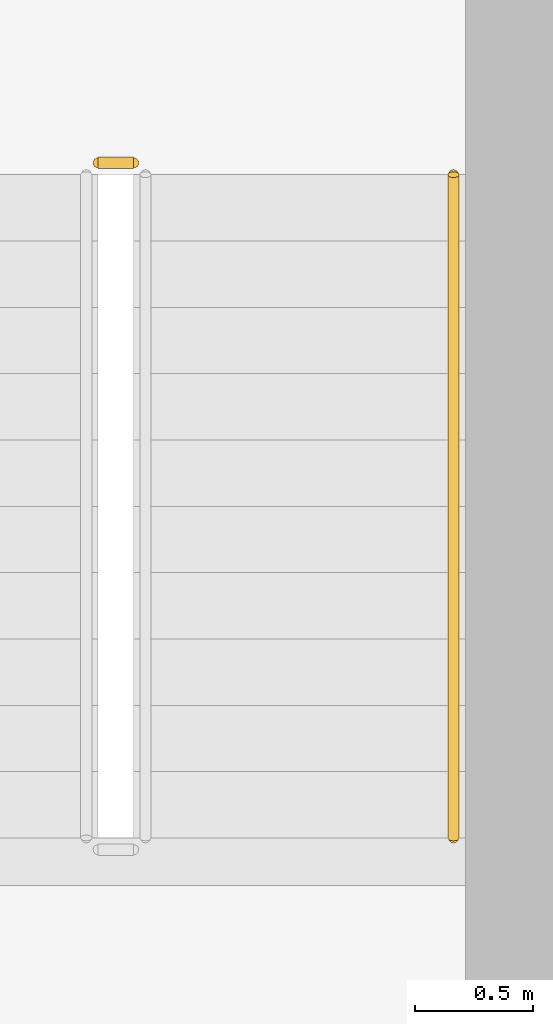
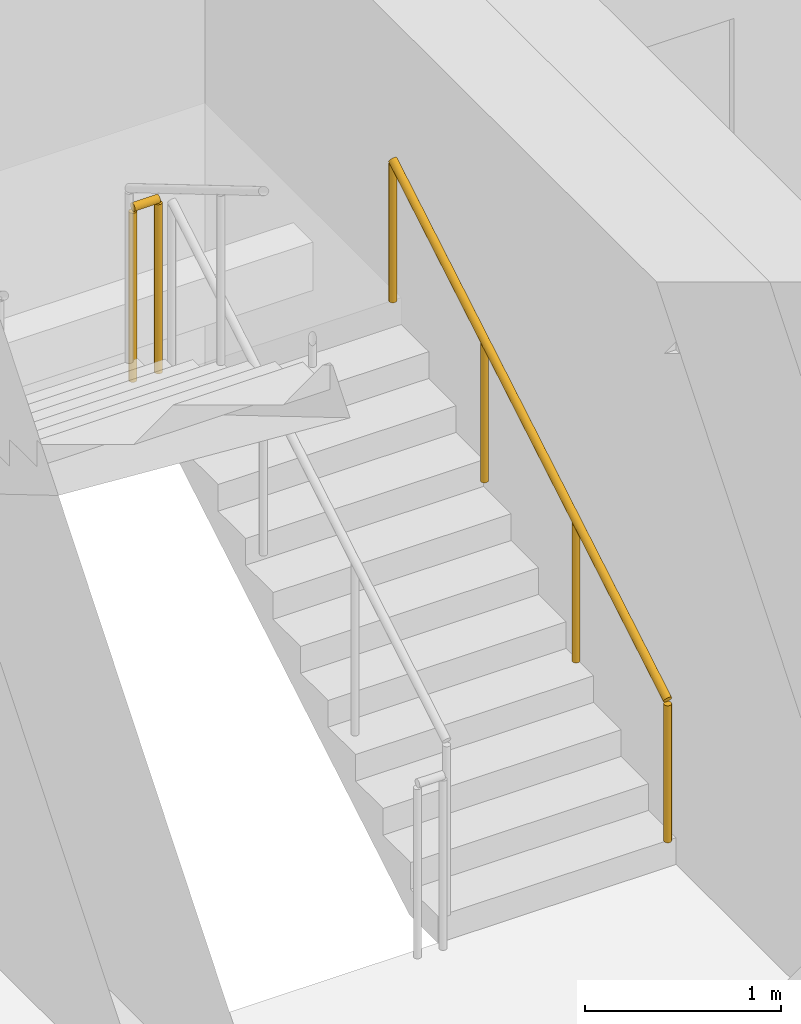
# One storey, part 13 of 15: 2 railings.
"""IFC4 building model written with IfcOpenShell, lengths in metres."""

from ifc_helpers import new_model, si_unit, direction, frame, origin, origin_2d, place, context, subcontext, project, spatial, circle, extrude, material, type_object, element, save


model = new_model("IFC4")

# Units and contexts
model_context = context("Model", 3, precision=1e-05, world=origin(), true_north=direction((0.0, 1.0)))
body_context = subcontext(model_context, "Body", "Model", "MODEL_VIEW")
ifc_project = project(units=[si_unit("LENGTHUNIT", "METRE"), si_unit("AREAUNIT", "SQUARE_METRE"), si_unit("VOLUMEUNIT", "CUBIC_METRE"), si_unit("PLANEANGLEUNIT", "RADIAN"), si_unit("MASSUNIT", "GRAM", prefix="KILO")], contexts=[model_context])

# Site, building, storey
site_placement = place(None, origin())
site = spatial("IfcSite", under=ifc_project, at=site_placement, CompositionType="ELEMENT")
building_placement = place(site_placement, origin())
building = spatial("IfcBuilding", under=site, at=building_placement, Name="Isthmus Gate Tower", CompositionType="ELEMENT")
storey_placement = place(building_placement, frame((0.0, 0.0, 271.89990234375)))
storey = spatial("IfcBuildingStorey", under=building, at=storey_placement, Name="L69", CompositionType="ELEMENT", Elevation=271.89990234375)

# Railings
ifc_material_1 = material(Name="Stainless steel balustrade", Category="steel")
railing_type_1 = type_object("IfcRailingType", Name="STAIR GUARD 1100", PredefinedType="GUARDRAIL", material=ifc_material_1)
railing_1_placement = place(storey_placement, frame((12.60009765625, 5.25, 1.8251953125)))
element("IfcRailing", 1, at=railing_1_placement, inside=storey, type_object=railing_type_1, Name="L69 ST8 stair guard 2", PredefinedType="GUARDRAIL", context=body_context, shape_type="SweptSolid", body=[
    extrude(circle(Radius=0.02392578125, at=origin_2d()), frame((0.0, 0.0, 1.076171875), z_axis=(-1.0, 0.0, 0.0), x_axis=(0.0, -1.0, 0.0)), (0.0, 0.0, 1.0), 0.150146484375),
    extrude(circle(Radius=0.02099609375, at=origin_2d()), origin(), (0.0, 0.0, 1.0), 1.052001953125),
    extrude(circle(Radius=0.02099609375, at=origin_2d()), frame((-0.150146484375, 0.0, 0.0)), (0.0, 0.0, 1.0), 1.052001953125),
])
ifc_material_2 = material(Name="Stainless steel handrail", Category="steel")
railing_type_2 = type_object("IfcRailingType", Name="STAIR HANDRAIL 900", PredefinedType="HANDRAIL", material=ifc_material_2)
railing_2_placement = place(storey_placement, frame((13.949951171875, 2.39990234375, 0.166015625)))
element("IfcRailing", 2, at=railing_2_placement, inside=storey, type_object=railing_type_2, Name="L69 ST8 stair handrail 1", PredefinedType="HANDRAIL", context=body_context, shape_type="SweptSolid", body=[
    extrude(circle(Radius=0.02392578125, at=origin_2d()), frame((0.0, 0.0, 0.8759765625), z_axis=(0.0, 0.860306154799, 0.50977771628), x_axis=(-1.0, 0.0, 0.0)), (0.0, 0.0, 1.0), 3.254638671875),
    extrude(circle(Radius=0.02099609375, at=origin_2d()), origin(), (0.0, 0.0, 1.0), 0.851806640625),
    extrude(circle(Radius=0.02099609375, at=origin_2d()), frame((0.0, 0.933349609375, 0.552978515625)), (0.0, 0.0, 1.0), 0.851806640625),
    extrude(circle(Radius=0.02099609375, at=origin_2d()), frame((0.0, 1.86669921875, 1.106201171875)), (0.0, 0.0, 1.0), 0.851806640625),
    extrude(circle(Radius=0.02099609375, at=origin_2d()), frame((0.0, 2.800048828125, 1.6591796875)), (0.0, 0.0, 1.0), 0.851806640625),
])

save(model, "model.ifc")
